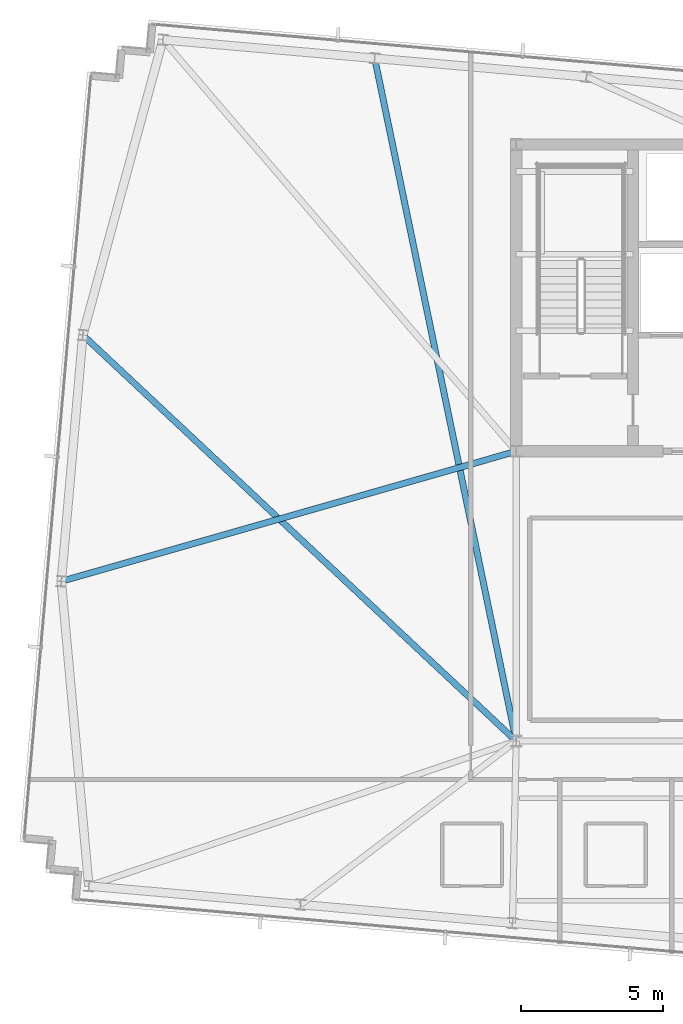
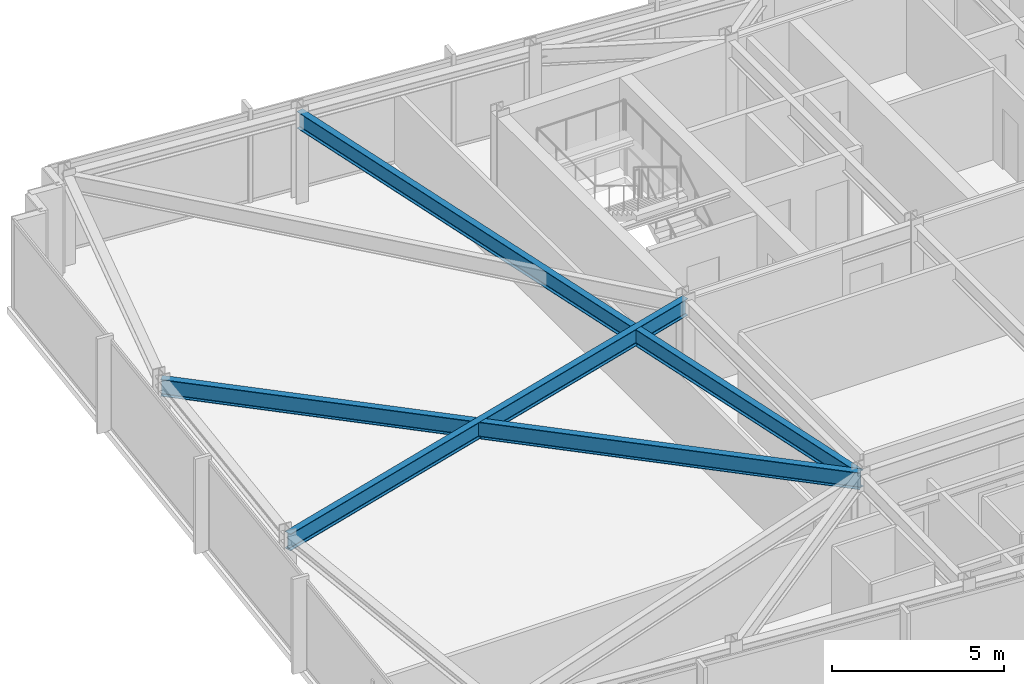
# One storey, part 10 of 33: 3 beams.
"""IFC4 building model written with IfcOpenShell, lengths in metres."""

from ifc_helpers import new_model, si_unit, direction, frame, origin, origin_2d, place, context, subcontext, project, spatial, i_section, extrude, material, material_profile, profile_set, type_object, element, save


model = new_model("IFC4")

# Units and contexts
model_context = context("Model", 3, precision=1e-05, world=origin(), true_north=direction((0.0, 1.0)))
body_context = subcontext(model_context, "Body", "Model", "MODEL_VIEW")
ifc_project = project(units=[si_unit("LENGTHUNIT", "METRE"), si_unit("AREAUNIT", "SQUARE_METRE"), si_unit("VOLUMEUNIT", "CUBIC_METRE"), si_unit("PLANEANGLEUNIT", "RADIAN"), si_unit("MASSUNIT", "GRAM", prefix="KILO")], contexts=[model_context])

# Site, building, storey
site_placement = place(None, origin())
site = spatial("IfcSite", under=ifc_project, at=site_placement, CompositionType="ELEMENT")
building_placement = place(site_placement, origin())
building = spatial("IfcBuilding", under=site, at=building_placement, Name="Yelkora Congress Tower", CompositionType="ELEMENT")
storey_placement = place(building_placement, frame((0.0, 0.0, 289.699951171875)))
storey = spatial("IfcBuildingStorey", under=building, at=storey_placement, Name="L81", CompositionType="ELEMENT", Elevation=289.699951171875)

# Beams
ifc_material = material(Name="Steel S355J2", Category="steel")
ifc_material_profile = material_profile(ifc_material, i_section(OverallWidth=0.219970703125, OverallDepth=0.60009765625, WebThickness=0.011962890625, FlangeThickness=0.01904296875, FilletRadius=0.02392578125, at=origin_2d()), Name="IPE 600")
ifc_profile_set = profile_set([ifc_material_profile], Name="Steel S355J2")
beam_type = type_object("IfcBeamType", Name="BM-GIRD-IPE600", PredefinedType="BEAM", material=ifc_profile_set)
beam_1_placement = place(storey_placement, frame((18.058837890625, 49.231689453125, 2.880126953125), z_axis=(0.202961834344, -0.979186649112, 0.0), x_axis=(0.979186649112, 0.202961834344, 0.0)))
element("IfcBeam", 1, at=beam_1_placement, inside=storey, type_object=beam_type, Name="L81 Primary Frame Girder N02", PredefinedType="BEAM", context=body_context, shape_type="SweptSolid", body=[
    extrude(i_section(OverallWidth=0.219970703125, OverallDepth=0.60009765625, WebThickness=0.011962890625, FlangeThickness=0.01904296875, FilletRadius=0.02392578125, at=origin_2d()), origin(), (0.0, 0.0, 1.0), 24.54248046875),
])
beam_2_placement = place(storey_placement, frame((7.029052734375, 30.822998046875, 2.880126953125), z_axis=(0.961486871307, 0.274850861932, 0.0), x_axis=(-0.274850861932, 0.961486871307, 0.0)))
element("IfcBeam", 2, at=beam_2_placement, inside=storey, type_object=beam_type, Name="L81 Primary Frame Girder W01", PredefinedType="BEAM", context=body_context, shape_type="SweptSolid", body=[
    extrude(i_section(OverallWidth=0.219970703125, OverallDepth=0.60009765625, WebThickness=0.011962890625, FlangeThickness=0.01904296875, FilletRadius=0.02392578125, at=origin_2d()), origin(), (0.0, 0.0, 1.0), 16.65234375),
])
beam_3_placement = place(storey_placement, frame((7.787353515625, 39.489990234375, 2.880126953125), z_axis=(0.729760461145, -0.683702910152, 0.0), x_axis=(0.683702910152, 0.729760461145, 0.0)))
element("IfcBeam", 3, at=beam_3_placement, inside=storey, type_object=beam_type, Name="L81 Primary Frame Girder W02", PredefinedType="BEAM", context=body_context, shape_type="SweptSolid", body=[
    extrude(i_section(OverallWidth=0.219970703125, OverallDepth=0.60009765625, WebThickness=0.011962890625, FlangeThickness=0.01904296875, FilletRadius=0.02392578125, at=origin_2d()), origin(), (0.0, 0.0, 1.0), 20.90087890625),
])

save(model, "model.ifc")
